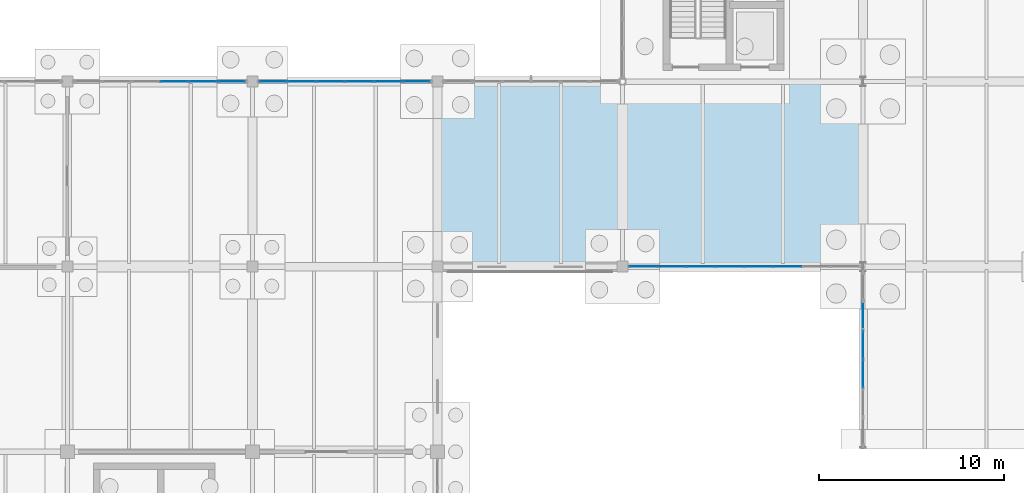
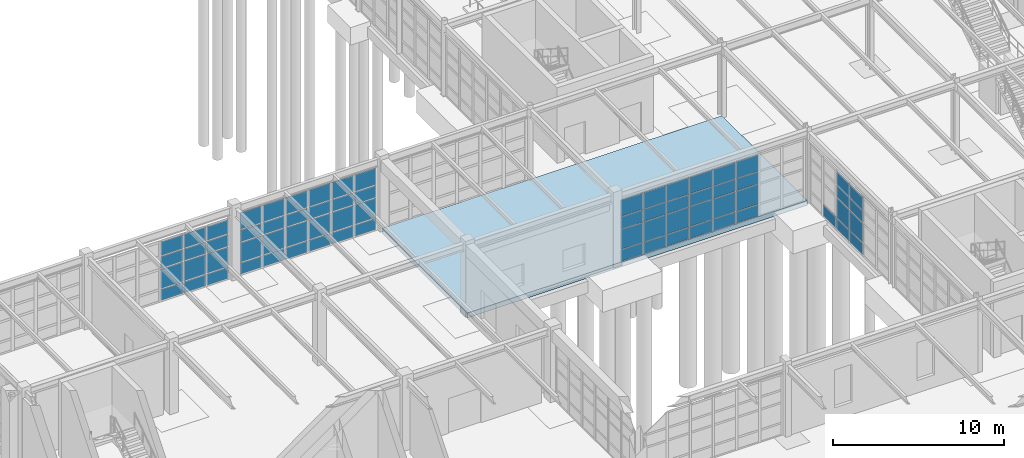
# One storey, part 87 of 145: 69 plates, 1 slab, 4 elements without a shape of their own.
"""IFC4 building model written with IfcOpenShell, lengths in metres."""

from ifc_helpers import new_model, si_unit, direction, frame, origin, origin_2d, place, context, subcontext, project, spatial, polyline, rectangle, outline, extrude, material, layer, layer_set, type_object, element, aggregate, save


model = new_model("IFC4")

# Units and contexts
model_context = context("Model", 3, precision=1e-05, world=origin(), true_north=direction((0.0, 1.0)))
body_context = subcontext(model_context, "Body", "Model", "MODEL_VIEW")
ifc_project = project(units=[si_unit("LENGTHUNIT", "METRE"), si_unit("AREAUNIT", "SQUARE_METRE"), si_unit("VOLUMEUNIT", "CUBIC_METRE"), si_unit("PLANEANGLEUNIT", "RADIAN"), si_unit("MASSUNIT", "GRAM", prefix="KILO"), si_unit("THERMODYNAMICTEMPERATUREUNIT", "KELVIN"), si_unit("POWERUNIT", "WATT")], contexts=[model_context])

# Site, building, storey
site_placement = place(None, origin())
site = spatial("IfcSite", under=ifc_project, at=site_placement, CompositionType="ELEMENT")
building_placement = place(site_placement, origin())
building = spatial("IfcBuilding", under=site, at=building_placement, Name="Korenveer Ferry Terminal", CompositionType="ELEMENT")
storey_placement = place(building_placement, origin())
storey = spatial("IfcBuildingStorey", under=building, at=storey_placement, Name="L00", CompositionType="ELEMENT", Elevation=0.0)

# Curtain wall, plates
ifc_material_1 = material(Name="Unitised bronze-and-glass curtain wall", Category="glass")
ifc_layer_1 = layer(ifc_material_1, 0.159912109375)
ifc_layer_set_1 = layer_set([ifc_layer_1], Name="Unitised bronze-and-glass curtain wall")
curtain_wall_type_1 = type_object("IfcCurtainWallType", Name="ENV-CW-06", PredefinedType="USERDEFINED", material=ifc_layer_set_1)
curtain_wall_1_placement = place(storey_placement, frame((40.330078125, 70.0, 0.0)))
curtain_wall_1 = element("IfcCurtainWall", 1, at=curtain_wall_1_placement, inside=storey, type_object=curtain_wall_type_1, Name="Lancet curtain wall CWX-L00-X40-53-Y70-70", ObjectType="UNITISED CURTAIN WALL", PredefinedType="USERDEFINED")
ifc_material_2 = material(Name="Low-iron solar-control double glazing", Category="glass")
ifc_layer_2 = layer(ifc_material_2, 0.028076171875)
ifc_layer_set_2 = layer_set([ifc_layer_2], Name="Low-iron solar-control double glazing")
plate_type_1 = type_object("IfcPlateType", Name="ENV-CWP-GLZ28", PredefinedType="CURTAIN_PANEL", material=ifc_layer_set_2)
plate_1_placement = place(storey_placement, frame((41.125732421875, 70.0, 0.06005859375), z_axis=(0.0, 0.0, 1.0), x_axis=(1.0, 0.0, 0.0)))
plate_1 = element("IfcPlate", 2, at=plate_1_placement, type_object=plate_type_1, Name="CW-06 panel 1.1", PredefinedType="CURTAIN_PANEL", context=body_context, shape_type="SweptSolid", body=[
    extrude(rectangle(XDim=1.47119140625, YDim=0.028076171875, at=origin_2d()), origin(), (0.0, 0.0, 1.0), 0.81005859375),
])
plate_2_placement = place(storey_placement, frame((41.125732421875, 70.0, 0.93017578125), z_axis=(0.0, 0.0, 1.0), x_axis=(1.0, 0.0, 0.0)))
plate_2 = element("IfcPlate", 3, at=plate_2_placement, type_object=plate_type_1, Name="CW-06 panel 1.2", PredefinedType="CURTAIN_PANEL", context=body_context, shape_type="SweptSolid", body=[
    extrude(rectangle(XDim=1.47119140625, YDim=0.028076171875, at=origin_2d()), origin(), (0.0, 0.0, 1.0), 1.389892578125),
])
plate_3_placement = place(storey_placement, frame((41.125732421875, 70.0, 2.3798828125), z_axis=(0.0, 0.0, 1.0), x_axis=(1.0, 0.0, 0.0)))
plate_3 = element("IfcPlate", 4, at=plate_3_placement, type_object=plate_type_1, Name="CW-06 panel 1.3", PredefinedType="CURTAIN_PANEL", context=body_context, shape_type="SweptSolid", body=[
    extrude(rectangle(XDim=1.47119140625, YDim=0.028076171875, at=origin_2d()), origin(), (0.0, 0.0, 1.0), 0.840087890625),
])
plate_4_placement = place(storey_placement, frame((41.125732421875, 70.0, 3.280029296875), z_axis=(0.0, 0.0, 1.0), x_axis=(1.0, 0.0, 0.0)))
plate_4 = element("IfcPlate", 5, at=plate_4_placement, type_object=plate_type_1, Name="CW-06 panel 1.4", PredefinedType="CURTAIN_PANEL", context=body_context, shape_type="SweptSolid", body=[
    extrude(rectangle(XDim=1.47119140625, YDim=0.028076171875, at=origin_2d()), origin(), (0.0, 0.0, 1.0), 1.14990234375),
])
plate_5_placement = place(storey_placement, frame((42.671875, 70.0, 0.06005859375), z_axis=(0.0, 0.0, 1.0), x_axis=(1.0, 0.0, 0.0)))
plate_5 = element("IfcPlate", 6, at=plate_5_placement, type_object=plate_type_1, Name="CW-06 panel 2.1", PredefinedType="CURTAIN_PANEL", context=body_context, shape_type="SweptSolid", body=[
    extrude(rectangle(XDim=1.501220703125, YDim=0.028076171875, at=origin_2d()), origin(), (0.0, 0.0, 1.0), 0.81005859375),
])
plate_6_placement = place(storey_placement, frame((42.671875, 70.0, 0.93017578125), z_axis=(0.0, 0.0, 1.0), x_axis=(1.0, 0.0, 0.0)))
plate_6 = element("IfcPlate", 7, at=plate_6_placement, type_object=plate_type_1, Name="CW-06 panel 2.2", PredefinedType="CURTAIN_PANEL", context=body_context, shape_type="SweptSolid", body=[
    extrude(rectangle(XDim=1.501220703125, YDim=0.028076171875, at=origin_2d()), origin(), (0.0, 0.0, 1.0), 1.389892578125),
])
plate_7_placement = place(storey_placement, frame((42.671875, 70.0, 2.3798828125), z_axis=(0.0, 0.0, 1.0), x_axis=(1.0, 0.0, 0.0)))
plate_7 = element("IfcPlate", 8, at=plate_7_placement, type_object=plate_type_1, Name="CW-06 panel 2.3", PredefinedType="CURTAIN_PANEL", context=body_context, shape_type="SweptSolid", body=[
    extrude(rectangle(XDim=1.501220703125, YDim=0.028076171875, at=origin_2d()), origin(), (0.0, 0.0, 1.0), 0.840087890625),
])
plate_8_placement = place(storey_placement, frame((42.671875, 70.0, 3.280029296875), z_axis=(0.0, 0.0, 1.0), x_axis=(1.0, 0.0, 0.0)))
plate_8 = element("IfcPlate", 9, at=plate_8_placement, type_object=plate_type_1, Name="CW-06 panel 2.4", PredefinedType="CURTAIN_PANEL", context=body_context, shape_type="SweptSolid", body=[
    extrude(rectangle(XDim=1.501220703125, YDim=0.028076171875, at=origin_2d()), origin(), (0.0, 0.0, 1.0), 1.14990234375),
])
plate_9_placement = place(storey_placement, frame((44.233154296875, 70.0, 0.06005859375), z_axis=(0.0, 0.0, 1.0), x_axis=(1.0, 0.0, 0.0)))
plate_9 = element("IfcPlate", 10, at=plate_9_placement, type_object=plate_type_1, Name="CW-06 panel 3.1", PredefinedType="CURTAIN_PANEL", context=body_context, shape_type="SweptSolid", body=[
    extrude(rectangle(XDim=1.501220703125, YDim=0.028076171875, at=origin_2d()), origin(), (0.0, 0.0, 1.0), 0.81005859375),
])
plate_10_placement = place(storey_placement, frame((44.233154296875, 70.0, 0.93017578125), z_axis=(0.0, 0.0, 1.0), x_axis=(1.0, 0.0, 0.0)))
plate_10 = element("IfcPlate", 11, at=plate_10_placement, type_object=plate_type_1, Name="CW-06 panel 3.2", PredefinedType="CURTAIN_PANEL", context=body_context, shape_type="SweptSolid", body=[
    extrude(rectangle(XDim=1.501220703125, YDim=0.028076171875, at=origin_2d()), origin(), (0.0, 0.0, 1.0), 1.389892578125),
])
plate_11_placement = place(storey_placement, frame((44.233154296875, 70.0, 2.3798828125), z_axis=(0.0, 0.0, 1.0), x_axis=(1.0, 0.0, 0.0)))
plate_11 = element("IfcPlate", 12, at=plate_11_placement, type_object=plate_type_1, Name="CW-06 panel 3.3", PredefinedType="CURTAIN_PANEL", context=body_context, shape_type="SweptSolid", body=[
    extrude(rectangle(XDim=1.501220703125, YDim=0.028076171875, at=origin_2d()), origin(), (0.0, 0.0, 1.0), 0.840087890625),
])
plate_12_placement = place(storey_placement, frame((44.233154296875, 70.0, 3.280029296875), z_axis=(0.0, 0.0, 1.0), x_axis=(1.0, 0.0, 0.0)))
plate_12 = element("IfcPlate", 13, at=plate_12_placement, type_object=plate_type_1, Name="CW-06 panel 3.4", PredefinedType="CURTAIN_PANEL", context=body_context, shape_type="SweptSolid", body=[
    extrude(rectangle(XDim=1.501220703125, YDim=0.028076171875, at=origin_2d()), origin(), (0.0, 0.0, 1.0), 1.14990234375),
])
plate_13_placement = place(storey_placement, frame((45.79443359375, 70.0, 0.06005859375), z_axis=(0.0, 0.0, 1.0), x_axis=(1.0, 0.0, 0.0)))
plate_13 = element("IfcPlate", 14, at=plate_13_placement, type_object=plate_type_1, Name="CW-06 panel 4.1", PredefinedType="CURTAIN_PANEL", context=body_context, shape_type="SweptSolid", body=[
    extrude(rectangle(XDim=1.501220703125, YDim=0.028076171875, at=origin_2d()), origin(), (0.0, 0.0, 1.0), 0.81005859375),
])
plate_14_placement = place(storey_placement, frame((45.79443359375, 70.0, 0.93017578125), z_axis=(0.0, 0.0, 1.0), x_axis=(1.0, 0.0, 0.0)))
plate_14 = element("IfcPlate", 15, at=plate_14_placement, type_object=plate_type_1, Name="CW-06 panel 4.2", PredefinedType="CURTAIN_PANEL", context=body_context, shape_type="SweptSolid", body=[
    extrude(rectangle(XDim=1.501220703125, YDim=0.028076171875, at=origin_2d()), origin(), (0.0, 0.0, 1.0), 1.389892578125),
])
plate_15_placement = place(storey_placement, frame((45.79443359375, 70.0, 2.3798828125), z_axis=(0.0, 0.0, 1.0), x_axis=(1.0, 0.0, 0.0)))
plate_15 = element("IfcPlate", 16, at=plate_15_placement, type_object=plate_type_1, Name="CW-06 panel 4.3", PredefinedType="CURTAIN_PANEL", context=body_context, shape_type="SweptSolid", body=[
    extrude(rectangle(XDim=1.501220703125, YDim=0.028076171875, at=origin_2d()), origin(), (0.0, 0.0, 1.0), 0.840087890625),
])
plate_16_placement = place(storey_placement, frame((45.79443359375, 70.0, 3.280029296875), z_axis=(0.0, 0.0, 1.0), x_axis=(1.0, 0.0, 0.0)))
plate_16 = element("IfcPlate", 17, at=plate_16_placement, type_object=plate_type_1, Name="CW-06 panel 4.4", PredefinedType="CURTAIN_PANEL", context=body_context, shape_type="SweptSolid", body=[
    extrude(rectangle(XDim=1.501220703125, YDim=0.028076171875, at=origin_2d()), origin(), (0.0, 0.0, 1.0), 1.14990234375),
])
plate_17_placement = place(storey_placement, frame((47.355712890625, 70.0, 0.06005859375), z_axis=(0.0, 0.0, 1.0), x_axis=(1.0, 0.0, 0.0)))
plate_17 = element("IfcPlate", 18, at=plate_17_placement, type_object=plate_type_1, Name="CW-06 panel 5.1", PredefinedType="CURTAIN_PANEL", context=body_context, shape_type="SweptSolid", body=[
    extrude(rectangle(XDim=1.501220703125, YDim=0.028076171875, at=origin_2d()), origin(), (0.0, 0.0, 1.0), 0.81005859375),
])
plate_18_placement = place(storey_placement, frame((47.355712890625, 70.0, 0.93017578125), z_axis=(0.0, 0.0, 1.0), x_axis=(1.0, 0.0, 0.0)))
plate_18 = element("IfcPlate", 19, at=plate_18_placement, type_object=plate_type_1, Name="CW-06 panel 5.2", PredefinedType="CURTAIN_PANEL", context=body_context, shape_type="SweptSolid", body=[
    extrude(rectangle(XDim=1.501220703125, YDim=0.028076171875, at=origin_2d()), origin(), (0.0, 0.0, 1.0), 1.389892578125),
])
plate_19_placement = place(storey_placement, frame((47.355712890625, 70.0, 2.3798828125), z_axis=(0.0, 0.0, 1.0), x_axis=(1.0, 0.0, 0.0)))
plate_19 = element("IfcPlate", 20, at=plate_19_placement, type_object=plate_type_1, Name="CW-06 panel 5.3", PredefinedType="CURTAIN_PANEL", context=body_context, shape_type="SweptSolid", body=[
    extrude(rectangle(XDim=1.501220703125, YDim=0.028076171875, at=origin_2d()), origin(), (0.0, 0.0, 1.0), 0.840087890625),
])
plate_20_placement = place(storey_placement, frame((47.355712890625, 70.0, 3.280029296875), z_axis=(0.0, 0.0, 1.0), x_axis=(1.0, 0.0, 0.0)))
plate_20 = element("IfcPlate", 21, at=plate_20_placement, type_object=plate_type_1, Name="CW-06 panel 5.4", PredefinedType="CURTAIN_PANEL", context=body_context, shape_type="SweptSolid", body=[
    extrude(rectangle(XDim=1.501220703125, YDim=0.028076171875, at=origin_2d()), origin(), (0.0, 0.0, 1.0), 1.14990234375),
])
plate_21_placement = place(storey_placement, frame((48.9169921875, 70.0, 0.06005859375), z_axis=(0.0, 0.0, 1.0), x_axis=(1.0, 0.0, 0.0)))
plate_21 = element("IfcPlate", 22, at=plate_21_placement, type_object=plate_type_1, Name="CW-06 panel 6.1", PredefinedType="CURTAIN_PANEL", context=body_context, shape_type="SweptSolid", body=[
    extrude(rectangle(XDim=1.501220703125, YDim=0.028076171875, at=origin_2d()), origin(), (0.0, 0.0, 1.0), 0.81005859375),
])
plate_22_placement = place(storey_placement, frame((48.9169921875, 70.0, 0.93017578125), z_axis=(0.0, 0.0, 1.0), x_axis=(1.0, 0.0, 0.0)))
plate_22 = element("IfcPlate", 23, at=plate_22_placement, type_object=plate_type_1, Name="CW-06 panel 6.2", PredefinedType="CURTAIN_PANEL", context=body_context, shape_type="SweptSolid", body=[
    extrude(rectangle(XDim=1.501220703125, YDim=0.028076171875, at=origin_2d()), origin(), (0.0, 0.0, 1.0), 1.389892578125),
])
plate_23_placement = place(storey_placement, frame((48.9169921875, 70.0, 2.3798828125), z_axis=(0.0, 0.0, 1.0), x_axis=(1.0, 0.0, 0.0)))
plate_23 = element("IfcPlate", 24, at=plate_23_placement, type_object=plate_type_1, Name="CW-06 panel 6.3", PredefinedType="CURTAIN_PANEL", context=body_context, shape_type="SweptSolid", body=[
    extrude(rectangle(XDim=1.501220703125, YDim=0.028076171875, at=origin_2d()), origin(), (0.0, 0.0, 1.0), 0.840087890625),
])
plate_24_placement = place(storey_placement, frame((48.9169921875, 70.0, 3.280029296875), z_axis=(0.0, 0.0, 1.0), x_axis=(1.0, 0.0, 0.0)))
plate_24 = element("IfcPlate", 25, at=plate_24_placement, type_object=plate_type_1, Name="CW-06 panel 6.4", PredefinedType="CURTAIN_PANEL", context=body_context, shape_type="SweptSolid", body=[
    extrude(rectangle(XDim=1.501220703125, YDim=0.028076171875, at=origin_2d()), origin(), (0.0, 0.0, 1.0), 1.14990234375),
])
aggregate(curtain_wall_1, [plate_1, plate_2, plate_3, plate_4, plate_5, plate_6, plate_7, plate_8, plate_9, plate_10, plate_11, plate_12, plate_13, plate_14, plate_15, plate_16, plate_17, plate_18, plate_19, plate_20, plate_21, plate_22, plate_23, plate_24])

ifc_layer_3 = layer(ifc_material_1, 0.219970703125)
ifc_layer_set_3 = layer_set([ifc_layer_3], Name="Unitised bronze-and-glass curtain wall")
curtain_wall_type_2 = type_object("IfcCurtainWallType", Name="ENV-CW-09", PredefinedType="USERDEFINED", material=ifc_layer_set_3)
curtain_wall_2_placement = place(storey_placement, frame((10.330078125, 80.0, 0.0)))
curtain_wall_2 = element("IfcCurtainWall", 26, at=curtain_wall_2_placement, inside=storey, type_object=curtain_wall_type_2, Name="Lancet curtain wall CWX-L00-X10-20-Y80-80", ObjectType="UNITISED CURTAIN WALL", PredefinedType="USERDEFINED")
ifc_material_3 = material(Name="Acoustic laminated marine glazing", Category="glass")
ifc_layer_4 = layer(ifc_material_3, 0.035888671875)
ifc_layer_set_4 = layer_set([ifc_layer_4], Name="Acoustic laminated marine glazing")
plate_type_2 = type_object("IfcPlateType", Name="ENV-CWP-GLZ36", PredefinedType="CURTAIN_PANEL", material=ifc_layer_set_4)
plate_25_placement = place(storey_placement, frame((15.7783203125, 80.0, 0.074951171875), z_axis=(0.0, 0.0, 1.0), x_axis=(1.0, 0.0, 0.0)))
plate_25 = element("IfcPlate", 27, at=plate_25_placement, type_object=plate_type_2, Name="CW-09 panel 4.1", PredefinedType="CURTAIN_PANEL", context=body_context, shape_type="SweptSolid", body=[
    extrude(rectangle(XDim=1.481689453125, YDim=0.035888671875, at=origin_2d()), origin(), (0.0, 0.0, 1.0), 0.78759765625),
])
plate_26_placement = place(storey_placement, frame((15.7783203125, 80.0, 0.9375), z_axis=(0.0, 0.0, 1.0), x_axis=(1.0, 0.0, 0.0)))
plate_26 = element("IfcPlate", 28, at=plate_26_placement, type_object=plate_type_2, Name="CW-09 panel 4.2", PredefinedType="CURTAIN_PANEL", context=body_context, shape_type="SweptSolid", body=[
    extrude(rectangle(XDim=1.481689453125, YDim=0.035888671875, at=origin_2d()), origin(), (0.0, 0.0, 1.0), 1.375),
])
plate_27_placement = place(storey_placement, frame((15.7783203125, 80.0, 2.3876953125), z_axis=(0.0, 0.0, 1.0), x_axis=(1.0, 0.0, 0.0)))
plate_27 = element("IfcPlate", 29, at=plate_27_placement, type_object=plate_type_2, Name="CW-09 panel 4.3", PredefinedType="CURTAIN_PANEL", context=body_context, shape_type="SweptSolid", body=[
    extrude(rectangle(XDim=1.481689453125, YDim=0.035888671875, at=origin_2d()), origin(), (0.0, 0.0, 1.0), 0.824951171875),
])
plate_28_placement = place(storey_placement, frame((15.7783203125, 80.0, 3.28759765625), z_axis=(0.0, 0.0, 1.0), x_axis=(1.0, 0.0, 0.0)))
plate_28 = element("IfcPlate", 30, at=plate_28_placement, type_object=plate_type_2, Name="CW-09 panel 4.4", PredefinedType="CURTAIN_PANEL", context=body_context, shape_type="SweptSolid", body=[
    extrude(rectangle(XDim=1.481689453125, YDim=0.035888671875, at=origin_2d()), origin(), (0.0, 0.0, 1.0), 0.9775390625),
])
plate_29_placement = place(storey_placement, frame((17.3349609375, 80.0, 0.074951171875), z_axis=(0.0, 0.0, 1.0), x_axis=(1.0, 0.0, 0.0)))
plate_29 = element("IfcPlate", 31, at=plate_29_placement, type_object=plate_type_2, Name="CW-09 panel 5.1", PredefinedType="CURTAIN_PANEL", context=body_context, shape_type="SweptSolid", body=[
    extrude(rectangle(XDim=1.481689453125, YDim=0.035888671875, at=origin_2d()), origin(), (0.0, 0.0, 1.0), 0.78759765625),
])
plate_30_placement = place(storey_placement, frame((17.3349609375, 80.0, 0.9375), z_axis=(0.0, 0.0, 1.0), x_axis=(1.0, 0.0, 0.0)))
plate_30 = element("IfcPlate", 32, at=plate_30_placement, type_object=plate_type_2, Name="CW-09 panel 5.2", PredefinedType="CURTAIN_PANEL", context=body_context, shape_type="SweptSolid", body=[
    extrude(rectangle(XDim=1.481689453125, YDim=0.035888671875, at=origin_2d()), origin(), (0.0, 0.0, 1.0), 1.375),
])
plate_31_placement = place(storey_placement, frame((17.3349609375, 80.0, 2.3876953125), z_axis=(0.0, 0.0, 1.0), x_axis=(1.0, 0.0, 0.0)))
plate_31 = element("IfcPlate", 33, at=plate_31_placement, type_object=plate_type_2, Name="CW-09 panel 5.3", PredefinedType="CURTAIN_PANEL", context=body_context, shape_type="SweptSolid", body=[
    extrude(rectangle(XDim=1.481689453125, YDim=0.035888671875, at=origin_2d()), origin(), (0.0, 0.0, 1.0), 0.824951171875),
])
plate_32_placement = place(storey_placement, frame((17.3349609375, 80.0, 3.28759765625), z_axis=(0.0, 0.0, 1.0), x_axis=(1.0, 0.0, 0.0)))
plate_32 = element("IfcPlate", 34, at=plate_32_placement, type_object=plate_type_2, Name="CW-09 panel 5.4", PredefinedType="CURTAIN_PANEL", context=body_context, shape_type="SweptSolid", body=[
    extrude(rectangle(XDim=1.481689453125, YDim=0.035888671875, at=origin_2d()), origin(), (0.0, 0.0, 1.0), 0.9775390625),
])
plate_33_placement = place(storey_placement, frame((18.872802734375, 80.0, 0.074951171875), z_axis=(0.0, 0.0, 1.0), x_axis=(1.0, 0.0, 0.0)))
plate_33 = element("IfcPlate", 35, at=plate_33_placement, type_object=plate_type_2, Name="CW-09 panel 6.1", PredefinedType="CURTAIN_PANEL", context=body_context, shape_type="SweptSolid", body=[
    extrude(rectangle(XDim=1.444091796875, YDim=0.035888671875, at=origin_2d()), origin(), (0.0, 0.0, 1.0), 0.78759765625),
])
plate_34_placement = place(storey_placement, frame((18.872802734375, 80.0, 0.9375), z_axis=(0.0, 0.0, 1.0), x_axis=(1.0, 0.0, 0.0)))
plate_34 = element("IfcPlate", 36, at=plate_34_placement, type_object=plate_type_2, Name="CW-09 panel 6.2", PredefinedType="CURTAIN_PANEL", context=body_context, shape_type="SweptSolid", body=[
    extrude(rectangle(XDim=1.444091796875, YDim=0.035888671875, at=origin_2d()), origin(), (0.0, 0.0, 1.0), 1.375),
])
plate_35_placement = place(storey_placement, frame((18.872802734375, 80.0, 2.3876953125), z_axis=(0.0, 0.0, 1.0), x_axis=(1.0, 0.0, 0.0)))
plate_35 = element("IfcPlate", 37, at=plate_35_placement, type_object=plate_type_2, Name="CW-09 panel 6.3", PredefinedType="CURTAIN_PANEL", context=body_context, shape_type="SweptSolid", body=[
    extrude(rectangle(XDim=1.444091796875, YDim=0.035888671875, at=origin_2d()), origin(), (0.0, 0.0, 1.0), 0.824951171875),
])
plate_36_placement = place(storey_placement, frame((18.872802734375, 80.0, 3.28759765625), z_axis=(0.0, 0.0, 1.0), x_axis=(1.0, 0.0, 0.0)))
plate_36 = element("IfcPlate", 38, at=plate_36_placement, type_object=plate_type_2, Name="CW-09 panel 6.4", PredefinedType="CURTAIN_PANEL", context=body_context, shape_type="SweptSolid", body=[
    extrude(rectangle(XDim=1.444091796875, YDim=0.035888671875, at=origin_2d()), origin(), (0.0, 0.0, 1.0), 0.9775390625),
])
aggregate(curtain_wall_2, [plate_25, plate_26, plate_27, plate_28, plate_29, plate_30, plate_31, plate_32, plate_33, plate_34, plate_35, plate_36])

ifc_layer_5 = layer(ifc_material_1, 0.219970703125)
ifc_layer_set_5 = layer_set([ifc_layer_5], Name="Unitised bronze-and-glass curtain wall")
curtain_wall_type_3 = type_object("IfcCurtainWallType", Name="ENV-CW-10", PredefinedType="USERDEFINED", material=ifc_layer_set_5)
curtain_wall_3_placement = place(storey_placement, frame((20.330078125, 80.0, 0.0)))
curtain_wall_3 = element("IfcCurtainWall", 39, at=curtain_wall_3_placement, inside=storey, type_object=curtain_wall_type_3, Name="Lancet curtain wall CWX-L00-X20-30-Y80-80", ObjectType="UNITISED CURTAIN WALL", PredefinedType="USERDEFINED")
plate_37_placement = place(storey_placement, frame((21.127197265625, 80.0, 0.074951171875), z_axis=(0.0, 0.0, 1.0), x_axis=(1.0, 0.0, 0.0)))
plate_37 = element("IfcPlate", 40, at=plate_37_placement, type_object=plate_type_2, Name="CW-10 panel 1.1", PredefinedType="CURTAIN_PANEL", context=body_context, shape_type="SweptSolid", body=[
    extrude(rectangle(XDim=1.444091796875, YDim=0.035888671875, at=origin_2d()), origin(), (0.0, 0.0, 1.0), 0.78759765625),
])
plate_38_placement = place(storey_placement, frame((21.127197265625, 80.0, 0.9375), z_axis=(0.0, 0.0, 1.0), x_axis=(1.0, 0.0, 0.0)))
plate_38 = element("IfcPlate", 41, at=plate_38_placement, type_object=plate_type_2, Name="CW-10 panel 1.2", PredefinedType="CURTAIN_PANEL", context=body_context, shape_type="SweptSolid", body=[
    extrude(rectangle(XDim=1.444091796875, YDim=0.035888671875, at=origin_2d()), origin(), (0.0, 0.0, 1.0), 1.375),
])
plate_39_placement = place(storey_placement, frame((21.127197265625, 80.0, 2.3876953125), z_axis=(0.0, 0.0, 1.0), x_axis=(1.0, 0.0, 0.0)))
plate_39 = element("IfcPlate", 42, at=plate_39_placement, type_object=plate_type_2, Name="CW-10 panel 1.3", PredefinedType="CURTAIN_PANEL", context=body_context, shape_type="SweptSolid", body=[
    extrude(rectangle(XDim=1.444091796875, YDim=0.035888671875, at=origin_2d()), origin(), (0.0, 0.0, 1.0), 0.824951171875),
])
plate_40_placement = place(storey_placement, frame((21.127197265625, 80.0, 3.28759765625), z_axis=(0.0, 0.0, 1.0), x_axis=(1.0, 0.0, 0.0)))
plate_40 = element("IfcPlate", 43, at=plate_40_placement, type_object=plate_type_2, Name="CW-10 panel 1.4", PredefinedType="CURTAIN_PANEL", context=body_context, shape_type="SweptSolid", body=[
    extrude(rectangle(XDim=1.444091796875, YDim=0.035888671875, at=origin_2d()), origin(), (0.0, 0.0, 1.0), 1.177490234375),
])
plate_41_placement = place(storey_placement, frame((22.6650390625, 80.0, 0.074951171875), z_axis=(0.0, 0.0, 1.0), x_axis=(1.0, 0.0, 0.0)))
plate_41 = element("IfcPlate", 44, at=plate_41_placement, type_object=plate_type_2, Name="CW-10 panel 2.1", PredefinedType="CURTAIN_PANEL", context=body_context, shape_type="SweptSolid", body=[
    extrude(rectangle(XDim=1.481689453125, YDim=0.035888671875, at=origin_2d()), origin(), (0.0, 0.0, 1.0), 0.78759765625),
])
plate_42_placement = place(storey_placement, frame((22.6650390625, 80.0, 0.9375), z_axis=(0.0, 0.0, 1.0), x_axis=(1.0, 0.0, 0.0)))
plate_42 = element("IfcPlate", 45, at=plate_42_placement, type_object=plate_type_2, Name="CW-10 panel 2.2", PredefinedType="CURTAIN_PANEL", context=body_context, shape_type="SweptSolid", body=[
    extrude(rectangle(XDim=1.481689453125, YDim=0.035888671875, at=origin_2d()), origin(), (0.0, 0.0, 1.0), 1.375),
])
plate_43_placement = place(storey_placement, frame((22.6650390625, 80.0, 2.3876953125), z_axis=(0.0, 0.0, 1.0), x_axis=(1.0, 0.0, 0.0)))
plate_43 = element("IfcPlate", 46, at=plate_43_placement, type_object=plate_type_2, Name="CW-10 panel 2.3", PredefinedType="CURTAIN_PANEL", context=body_context, shape_type="SweptSolid", body=[
    extrude(rectangle(XDim=1.481689453125, YDim=0.035888671875, at=origin_2d()), origin(), (0.0, 0.0, 1.0), 0.824951171875),
])
plate_44_placement = place(storey_placement, frame((22.6650390625, 80.0, 3.28759765625), z_axis=(0.0, 0.0, 1.0), x_axis=(1.0, 0.0, 0.0)))
plate_44 = element("IfcPlate", 47, at=plate_44_placement, type_object=plate_type_2, Name="CW-10 panel 2.4", PredefinedType="CURTAIN_PANEL", context=body_context, shape_type="SweptSolid", body=[
    extrude(rectangle(XDim=1.481689453125, YDim=0.035888671875, at=origin_2d()), origin(), (0.0, 0.0, 1.0), 1.177490234375),
])
plate_45_placement = place(storey_placement, frame((24.2216796875, 80.0, 0.074951171875), z_axis=(0.0, 0.0, 1.0), x_axis=(1.0, 0.0, 0.0)))
plate_45 = element("IfcPlate", 48, at=plate_45_placement, type_object=plate_type_2, Name="CW-10 panel 3.1", PredefinedType="CURTAIN_PANEL", context=body_context, shape_type="SweptSolid", body=[
    extrude(rectangle(XDim=1.481689453125, YDim=0.035888671875, at=origin_2d()), origin(), (0.0, 0.0, 1.0), 0.78759765625),
])
plate_46_placement = place(storey_placement, frame((24.2216796875, 80.0, 0.9375), z_axis=(0.0, 0.0, 1.0), x_axis=(1.0, 0.0, 0.0)))
plate_46 = element("IfcPlate", 49, at=plate_46_placement, type_object=plate_type_2, Name="CW-10 panel 3.2", PredefinedType="CURTAIN_PANEL", context=body_context, shape_type="SweptSolid", body=[
    extrude(rectangle(XDim=1.481689453125, YDim=0.035888671875, at=origin_2d()), origin(), (0.0, 0.0, 1.0), 1.375),
])
plate_47_placement = place(storey_placement, frame((24.2216796875, 80.0, 2.3876953125), z_axis=(0.0, 0.0, 1.0), x_axis=(1.0, 0.0, 0.0)))
plate_47 = element("IfcPlate", 50, at=plate_47_placement, type_object=plate_type_2, Name="CW-10 panel 3.3", PredefinedType="CURTAIN_PANEL", context=body_context, shape_type="SweptSolid", body=[
    extrude(rectangle(XDim=1.481689453125, YDim=0.035888671875, at=origin_2d()), origin(), (0.0, 0.0, 1.0), 0.824951171875),
])
plate_48_placement = place(storey_placement, frame((24.2216796875, 80.0, 3.28759765625), z_axis=(0.0, 0.0, 1.0), x_axis=(1.0, 0.0, 0.0)))
plate_48 = element("IfcPlate", 51, at=plate_48_placement, type_object=plate_type_2, Name="CW-10 panel 3.4", PredefinedType="CURTAIN_PANEL", context=body_context, shape_type="SweptSolid", body=[
    extrude(rectangle(XDim=1.481689453125, YDim=0.035888671875, at=origin_2d()), origin(), (0.0, 0.0, 1.0), 1.177490234375),
])
plate_49_placement = place(storey_placement, frame((25.7783203125, 80.0, 0.074951171875), z_axis=(0.0, 0.0, 1.0), x_axis=(1.0, 0.0, 0.0)))
plate_49 = element("IfcPlate", 52, at=plate_49_placement, type_object=plate_type_2, Name="CW-10 panel 4.1", PredefinedType="CURTAIN_PANEL", context=body_context, shape_type="SweptSolid", body=[
    extrude(rectangle(XDim=1.481689453125, YDim=0.035888671875, at=origin_2d()), origin(), (0.0, 0.0, 1.0), 0.78759765625),
])
plate_50_placement = place(storey_placement, frame((25.7783203125, 80.0, 0.9375), z_axis=(0.0, 0.0, 1.0), x_axis=(1.0, 0.0, 0.0)))
plate_50 = element("IfcPlate", 53, at=plate_50_placement, type_object=plate_type_2, Name="CW-10 panel 4.2", PredefinedType="CURTAIN_PANEL", context=body_context, shape_type="SweptSolid", body=[
    extrude(rectangle(XDim=1.481689453125, YDim=0.035888671875, at=origin_2d()), origin(), (0.0, 0.0, 1.0), 1.375),
])
plate_51_placement = place(storey_placement, frame((25.7783203125, 80.0, 2.3876953125), z_axis=(0.0, 0.0, 1.0), x_axis=(1.0, 0.0, 0.0)))
plate_51 = element("IfcPlate", 54, at=plate_51_placement, type_object=plate_type_2, Name="CW-10 panel 4.3", PredefinedType="CURTAIN_PANEL", context=body_context, shape_type="SweptSolid", body=[
    extrude(rectangle(XDim=1.481689453125, YDim=0.035888671875, at=origin_2d()), origin(), (0.0, 0.0, 1.0), 0.824951171875),
])
plate_52_placement = place(storey_placement, frame((25.7783203125, 80.0, 3.28759765625), z_axis=(0.0, 0.0, 1.0), x_axis=(1.0, 0.0, 0.0)))
plate_52 = element("IfcPlate", 55, at=plate_52_placement, type_object=plate_type_2, Name="CW-10 panel 4.4", PredefinedType="CURTAIN_PANEL", context=body_context, shape_type="SweptSolid", body=[
    extrude(rectangle(XDim=1.481689453125, YDim=0.035888671875, at=origin_2d()), origin(), (0.0, 0.0, 1.0), 1.177490234375),
])
plate_53_placement = place(storey_placement, frame((27.3349609375, 80.0, 0.074951171875), z_axis=(0.0, 0.0, 1.0), x_axis=(1.0, 0.0, 0.0)))
plate_53 = element("IfcPlate", 56, at=plate_53_placement, type_object=plate_type_2, Name="CW-10 panel 5.1", PredefinedType="CURTAIN_PANEL", context=body_context, shape_type="SweptSolid", body=[
    extrude(rectangle(XDim=1.481689453125, YDim=0.035888671875, at=origin_2d()), origin(), (0.0, 0.0, 1.0), 0.78759765625),
])
plate_54_placement = place(storey_placement, frame((27.3349609375, 80.0, 0.9375), z_axis=(0.0, 0.0, 1.0), x_axis=(1.0, 0.0, 0.0)))
plate_54 = element("IfcPlate", 57, at=plate_54_placement, type_object=plate_type_2, Name="CW-10 panel 5.2", PredefinedType="CURTAIN_PANEL", context=body_context, shape_type="SweptSolid", body=[
    extrude(rectangle(XDim=1.481689453125, YDim=0.035888671875, at=origin_2d()), origin(), (0.0, 0.0, 1.0), 1.375),
])
plate_55_placement = place(storey_placement, frame((27.3349609375, 80.0, 2.3876953125), z_axis=(0.0, 0.0, 1.0), x_axis=(1.0, 0.0, 0.0)))
plate_55 = element("IfcPlate", 58, at=plate_55_placement, type_object=plate_type_2, Name="CW-10 panel 5.3", PredefinedType="CURTAIN_PANEL", context=body_context, shape_type="SweptSolid", body=[
    extrude(rectangle(XDim=1.481689453125, YDim=0.035888671875, at=origin_2d()), origin(), (0.0, 0.0, 1.0), 0.824951171875),
])
plate_56_placement = place(storey_placement, frame((27.3349609375, 80.0, 3.28759765625), z_axis=(0.0, 0.0, 1.0), x_axis=(1.0, 0.0, 0.0)))
plate_56 = element("IfcPlate", 59, at=plate_56_placement, type_object=plate_type_2, Name="CW-10 panel 5.4", PredefinedType="CURTAIN_PANEL", context=body_context, shape_type="SweptSolid", body=[
    extrude(rectangle(XDim=1.481689453125, YDim=0.035888671875, at=origin_2d()), origin(), (0.0, 0.0, 1.0), 1.177490234375),
])
plate_57_placement = place(storey_placement, frame((28.872802734375, 80.0, 0.074951171875), z_axis=(0.0, 0.0, 1.0), x_axis=(1.0, 0.0, 0.0)))
plate_57 = element("IfcPlate", 60, at=plate_57_placement, type_object=plate_type_2, Name="CW-10 panel 6.1", PredefinedType="CURTAIN_PANEL", context=body_context, shape_type="SweptSolid", body=[
    extrude(rectangle(XDim=1.444091796875, YDim=0.035888671875, at=origin_2d()), origin(), (0.0, 0.0, 1.0), 0.78759765625),
])
plate_58_placement = place(storey_placement, frame((28.872802734375, 80.0, 0.9375), z_axis=(0.0, 0.0, 1.0), x_axis=(1.0, 0.0, 0.0)))
plate_58 = element("IfcPlate", 61, at=plate_58_placement, type_object=plate_type_2, Name="CW-10 panel 6.2", PredefinedType="CURTAIN_PANEL", context=body_context, shape_type="SweptSolid", body=[
    extrude(rectangle(XDim=1.444091796875, YDim=0.035888671875, at=origin_2d()), origin(), (0.0, 0.0, 1.0), 1.375),
])
plate_59_placement = place(storey_placement, frame((28.872802734375, 80.0, 2.3876953125), z_axis=(0.0, 0.0, 1.0), x_axis=(1.0, 0.0, 0.0)))
plate_59 = element("IfcPlate", 62, at=plate_59_placement, type_object=plate_type_2, Name="CW-10 panel 6.3", PredefinedType="CURTAIN_PANEL", context=body_context, shape_type="SweptSolid", body=[
    extrude(rectangle(XDim=1.444091796875, YDim=0.035888671875, at=origin_2d()), origin(), (0.0, 0.0, 1.0), 0.824951171875),
])
plate_60_placement = place(storey_placement, frame((28.872802734375, 80.0, 3.28759765625), z_axis=(0.0, 0.0, 1.0), x_axis=(1.0, 0.0, 0.0)))
plate_60 = element("IfcPlate", 63, at=plate_60_placement, type_object=plate_type_2, Name="CW-10 panel 6.4", PredefinedType="CURTAIN_PANEL", context=body_context, shape_type="SweptSolid", body=[
    extrude(rectangle(XDim=1.444091796875, YDim=0.035888671875, at=origin_2d()), origin(), (0.0, 0.0, 1.0), 1.177490234375),
])
aggregate(curtain_wall_3, [plate_37, plate_38, plate_39, plate_40, plate_41, plate_42, plate_43, plate_44, plate_45, plate_46, plate_47, plate_48, plate_49, plate_50, plate_51, plate_52, plate_53, plate_54, plate_55, plate_56, plate_57, plate_58, plate_59, plate_60])

ifc_layer_6 = layer(ifc_material_1, 0.219970703125)
ifc_layer_set_6 = layer_set([ifc_layer_6], Name="Unitised bronze-and-glass curtain wall")
curtain_wall_type_4 = type_object("IfcCurtainWallType", Name="ENV-CW-27", PredefinedType="USERDEFINED", material=ifc_layer_set_6)
curtain_wall_4_placement = place(storey_placement, frame((53.0, 60.280029296875, 0.0)))
curtain_wall_4 = element("IfcCurtainWall", 64, at=curtain_wall_4_placement, inside=storey, type_object=curtain_wall_type_4, Name="Lancet curtain wall CWX-L00-X53-53-Y60-70", ObjectType="UNITISED CURTAIN WALL", PredefinedType="USERDEFINED")
plate_61_placement = place(storey_placement, frame((53.0, 64.21337890625, 0.074951171875), z_axis=(0.0, 0.0, 1.0), x_axis=(0.0, 1.0, 0.0)))
plate_61 = element("IfcPlate", 65, at=plate_61_placement, type_object=plate_type_2, Name="CW-27 panel 3.1", PredefinedType="CURTAIN_PANEL", context=body_context, shape_type="SweptSolid", body=[
    extrude(rectangle(XDim=1.498291015625, YDim=0.035888671875, at=origin_2d()), origin(), (0.0, 0.0, 1.0), 0.78759765625),
])
plate_62_placement = place(storey_placement, frame((53.0, 64.21337890625, 0.9375), z_axis=(0.0, 0.0, 1.0), x_axis=(0.0, 1.0, 0.0)))
plate_62 = element("IfcPlate", 66, at=plate_62_placement, type_object=plate_type_2, Name="CW-27 panel 3.2", PredefinedType="CURTAIN_PANEL", context=body_context, shape_type="SweptSolid", body=[
    extrude(rectangle(XDim=1.498291015625, YDim=0.035888671875, at=origin_2d()), origin(), (0.0, 0.0, 1.0), 1.375),
])
plate_63_placement = place(storey_placement, frame((53.0, 64.21337890625, 2.3876953125), z_axis=(0.0, 0.0, 1.0), x_axis=(0.0, 1.0, 0.0)))
plate_63 = element("IfcPlate", 67, at=plate_63_placement, type_object=plate_type_2, Name="CW-27 panel 3.3", PredefinedType="CURTAIN_PANEL", context=body_context, shape_type="SweptSolid", body=[
    extrude(rectangle(XDim=1.498291015625, YDim=0.035888671875, at=origin_2d()), origin(), (0.0, 0.0, 1.0), 0.824951171875),
])
plate_64_placement = place(storey_placement, frame((53.0, 64.21337890625, 3.28759765625), z_axis=(0.0, 0.0, 1.0), x_axis=(0.0, 1.0, 0.0)))
plate_64 = element("IfcPlate", 68, at=plate_64_placement, type_object=plate_type_2, Name="CW-27 panel 3.4", PredefinedType="CURTAIN_PANEL", context=body_context, shape_type="SweptSolid", body=[
    extrude(rectangle(XDim=1.498291015625, YDim=0.035888671875, at=origin_2d()), origin(), (0.0, 0.0, 1.0), 0.887451171875),
])
plate_65_placement = place(storey_placement, frame((53.0, 65.78662109375, 0.074951171875), z_axis=(0.0, 0.0, 1.0), x_axis=(0.0, 1.0, 0.0)))
plate_65 = element("IfcPlate", 69, at=plate_65_placement, type_object=plate_type_2, Name="CW-27 panel 4.1", PredefinedType="CURTAIN_PANEL", context=body_context, shape_type="SweptSolid", body=[
    extrude(rectangle(XDim=1.498291015625, YDim=0.035888671875, at=origin_2d()), origin(), (0.0, 0.0, 1.0), 0.78759765625),
])
plate_66_placement = place(storey_placement, frame((53.0, 65.78662109375, 0.9375), z_axis=(0.0, 0.0, 1.0), x_axis=(0.0, 1.0, 0.0)))
plate_66 = element("IfcPlate", 70, at=plate_66_placement, type_object=plate_type_2, Name="CW-27 panel 4.2", PredefinedType="CURTAIN_PANEL", context=body_context, shape_type="SweptSolid", body=[
    extrude(rectangle(XDim=1.498291015625, YDim=0.035888671875, at=origin_2d()), origin(), (0.0, 0.0, 1.0), 1.375),
])
plate_67_placement = place(storey_placement, frame((53.0, 65.78662109375, 2.3876953125), z_axis=(0.0, 0.0, 1.0), x_axis=(0.0, 1.0, 0.0)))
plate_67 = element("IfcPlate", 71, at=plate_67_placement, type_object=plate_type_2, Name="CW-27 panel 4.3", PredefinedType="CURTAIN_PANEL", context=body_context, shape_type="SweptSolid", body=[
    extrude(rectangle(XDim=1.498291015625, YDim=0.035888671875, at=origin_2d()), origin(), (0.0, 0.0, 1.0), 0.824951171875),
])
plate_68_placement = place(storey_placement, frame((53.0, 65.78662109375, 3.28759765625), z_axis=(0.0, 0.0, 1.0), x_axis=(0.0, 1.0, 0.0)))
plate_68 = element("IfcPlate", 72, at=plate_68_placement, type_object=plate_type_2, Name="CW-27 panel 4.4", PredefinedType="CURTAIN_PANEL", context=body_context, shape_type="SweptSolid", body=[
    extrude(rectangle(XDim=1.498291015625, YDim=0.035888671875, at=origin_2d()), origin(), (0.0, 0.0, 1.0), 0.887451171875),
])
plate_69_placement = place(storey_placement, frame((53.0, 67.360107421875, 0.074951171875), z_axis=(0.0, 0.0, 1.0), x_axis=(0.0, 1.0, 0.0)))
plate_69 = element("IfcPlate", 73, at=plate_69_placement, type_object=plate_type_2, Name="CW-27 panel 5.1", PredefinedType="CURTAIN_PANEL", context=body_context, shape_type="SweptSolid", body=[
    extrude(rectangle(XDim=1.498291015625, YDim=0.035888671875, at=origin_2d()), origin(), (0.0, 0.0, 1.0), 0.78759765625),
])
aggregate(curtain_wall_4, [plate_61, plate_62, plate_63, plate_64, plate_65, plate_66, plate_67, plate_68, plate_69])

# Slab
ifc_material_4 = material(Name="Concrete C40/50", Category="concrete")
ifc_layer_7 = layer(ifc_material_4, 0.35009765625)
ifc_layer_set_7 = layer_set([ifc_layer_7], Name="Concrete C40/50")
slab_type = type_object("IfcSlabType", Name="STR-SL-BASE350", PredefinedType="BASESLAB", material=ifc_layer_set_7)
slab_placement = place(storey_placement, frame((0.0, 0.0, -0.35009765625)))
element("IfcSlab", 74, at=slab_placement, inside=storey, type_object=slab_type, Name="Floor slab SL-L00-PW1", PredefinedType="BASESLAB", context=body_context, shape_type="SweptSolid", body=[
    extrude(outline(polyline([(30.0, 70.0), (53.0, 70.0), (53.0, 80.0), (30.0, 80.0), (30.0, 70.0)])), origin(), (0.0, 0.0, 1.0), 0.35009765625),
])

save(model, "model.ifc")
